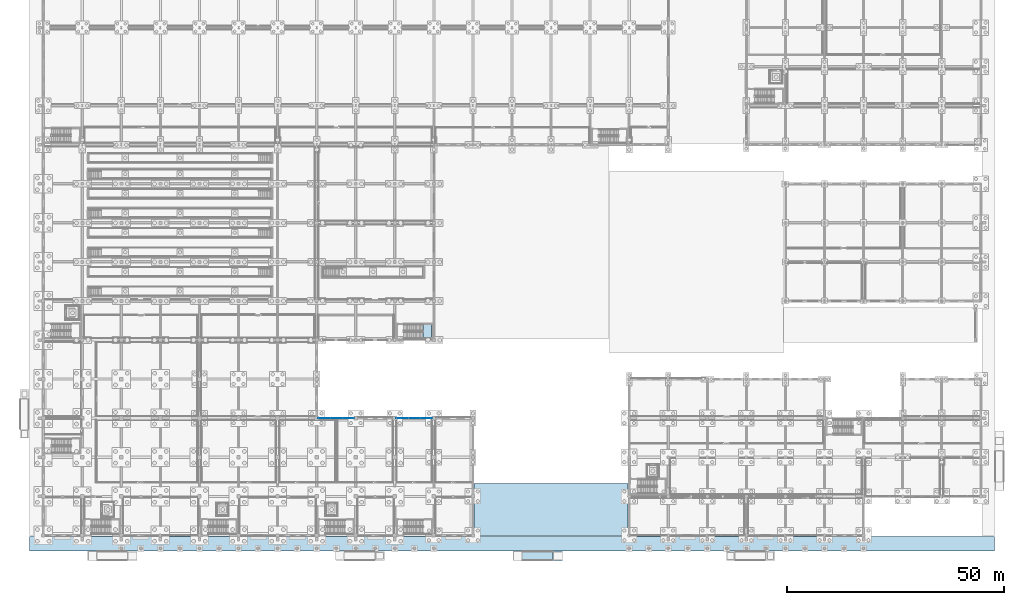
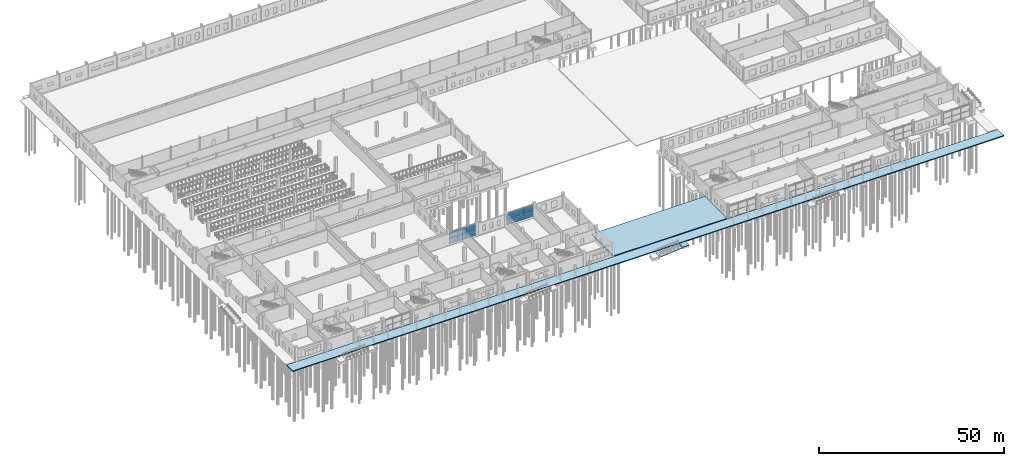
# One storey, part 58 of 112: 12 plates, 5 slabs, 3 elements without a shape of their own.
"""IFC4 building model written with IfcOpenShell, lengths in metres."""

from ifc_helpers import new_model, si_unit, direction, frame, origin, origin_2d, place, context, subcontext, project, spatial, polyline, rectangle, outline, extrude, material, layer, layer_set, type_object, element, aggregate, save


model = new_model("IFC4")

# Units and contexts
model_context = context("Model", 3, precision=1e-05, world=origin(), true_north=direction((0.0, 1.0)))
body_context = subcontext(model_context, "Body", "Model", "MODEL_VIEW")
ifc_project = project(units=[si_unit("LENGTHUNIT", "METRE"), si_unit("AREAUNIT", "SQUARE_METRE"), si_unit("VOLUMEUNIT", "CUBIC_METRE"), si_unit("PLANEANGLEUNIT", "RADIAN"), si_unit("MASSUNIT", "GRAM", prefix="KILO")], contexts=[model_context])

# Site, building, storey
site_placement = place(None, origin())
site = spatial("IfcSite", under=ifc_project, at=site_placement, CompositionType="ELEMENT")
building_placement = place(site_placement, origin())
building = spatial("IfcBuilding", under=site, at=building_placement, Name="Tharagai Park Tramway Depot", CompositionType="ELEMENT")
storey_placement = place(building_placement, origin())
storey = spatial("IfcBuildingStorey", under=building, at=storey_placement, Name="L00", CompositionType="ELEMENT", Elevation=0.0)

# Curtain wall, plates
ifc_material_1 = material(Name="Anodised aluminium", Category="aluminium")
curtain_wall_type = type_object("IfcCurtainWallType", Name="CW-05", PredefinedType="NOTDEFINED", material=ifc_material_1)
curtain_wall_1_placement = place(storey_placement, origin())
curtain_wall_1 = element("IfcCurtainWall", 1, at=curtain_wall_1_placement, inside=storey, type_object=curtain_wall_type, Name="L00 V4 Gothic Mullioned Curtain Wall CW-05", PredefinedType="NOTDEFINED")
ifc_material_2 = material(Name="Laminated solar-control glass", Category="glass")
ifc_layer_1 = layer(ifc_material_2, 0.028076171875)
ifc_layer_set_1 = layer_set([ifc_layer_1], Name="Laminated solar-control glass")
plate_type = type_object("IfcPlateType", Name="CP-02", PredefinedType="CURTAIN_PANEL", material=ifc_layer_set_1)
plate_1_placement = place(storey_placement, frame((64.743408203125, 27.0, 0.080078125), z_axis=(0.0, 0.0, 1.0), x_axis=(1.0, 0.0, 0.0)))
plate_1 = element("IfcPlate", 2, at=plate_1_placement, type_object=plate_type, Name="L00 V4 Gothic Mullioned Curtain Wall Glazed Panel 1.1", PredefinedType="CURTAIN_PANEL", context=body_context, shape_type="SweptSolid", body=[
    extrude(rectangle(XDim=2.736572265625, YDim=0.028076171875, at=origin_2d()), origin(), (0.0, 0.0, 1.0), 1.824951171875),
])
plate_2_placement = place(storey_placement, frame((64.743408203125, 27.0, 1.94482421875), z_axis=(0.0, 0.0, 1.0), x_axis=(1.0, 0.0, 0.0)))
plate_2 = element("IfcPlate", 3, at=plate_2_placement, type_object=plate_type, Name="L00 V4 Gothic Mullioned Curtain Wall Glazed Panel 1.2", PredefinedType="CURTAIN_PANEL", context=body_context, shape_type="SweptSolid", body=[
    extrude(rectangle(XDim=2.736572265625, YDim=0.028076171875, at=origin_2d()), origin(), (0.0, 0.0, 1.0), 1.804931640625),
])
plate_3_placement = place(storey_placement, frame((67.5, 27.0, 0.080078125), z_axis=(0.0, 0.0, 1.0), x_axis=(1.0, 0.0, 0.0)))
plate_3 = element("IfcPlate", 4, at=plate_3_placement, type_object=plate_type, Name="L00 V4 Gothic Mullioned Curtain Wall Glazed Panel 2.1", PredefinedType="CURTAIN_PANEL", context=body_context, shape_type="SweptSolid", body=[
    extrude(rectangle(XDim=2.736572265625, YDim=0.028076171875, at=origin_2d()), origin(), (0.0, 0.0, 1.0), 1.824951171875),
])
plate_4_placement = place(storey_placement, frame((67.5, 27.0, 1.94482421875), z_axis=(0.0, 0.0, 1.0), x_axis=(1.0, 0.0, 0.0)))
plate_4 = element("IfcPlate", 5, at=plate_4_placement, type_object=plate_type, Name="L00 V4 Gothic Mullioned Curtain Wall Glazed Panel 2.2", PredefinedType="CURTAIN_PANEL", context=body_context, shape_type="SweptSolid", body=[
    extrude(rectangle(XDim=2.736572265625, YDim=0.028076171875, at=origin_2d()), origin(), (0.0, 0.0, 1.0), 1.804931640625),
])
plate_5_placement = place(storey_placement, frame((70.256591796875, 27.0, 0.080078125), z_axis=(0.0, 0.0, 1.0), x_axis=(1.0, 0.0, 0.0)))
plate_5 = element("IfcPlate", 6, at=plate_5_placement, type_object=plate_type, Name="L00 V4 Gothic Mullioned Curtain Wall Glazed Panel 3.1", PredefinedType="CURTAIN_PANEL", context=body_context, shape_type="SweptSolid", body=[
    extrude(rectangle(XDim=2.736572265625, YDim=0.028076171875, at=origin_2d()), origin(), (0.0, 0.0, 1.0), 1.824951171875),
])
plate_6_placement = place(storey_placement, frame((70.256591796875, 27.0, 1.94482421875), z_axis=(0.0, 0.0, 1.0), x_axis=(1.0, 0.0, 0.0)))
plate_6 = element("IfcPlate", 7, at=plate_6_placement, type_object=plate_type, Name="L00 V4 Gothic Mullioned Curtain Wall Glazed Panel 3.2", PredefinedType="CURTAIN_PANEL", context=body_context, shape_type="SweptSolid", body=[
    extrude(rectangle(XDim=2.736572265625, YDim=0.028076171875, at=origin_2d()), origin(), (0.0, 0.0, 1.0), 1.804931640625),
])
aggregate(curtain_wall_1, [plate_1, plate_2, plate_3, plate_4, plate_5, plate_6])

curtain_wall_2_placement = place(storey_placement, origin())
curtain_wall_2 = element("IfcCurtainWall", 8, at=curtain_wall_2_placement, inside=storey, type_object=curtain_wall_type, Name="L00 V4 Gothic Mullioned Curtain Wall CW-05", PredefinedType="NOTDEFINED")
plate_7_placement = place(storey_placement, frame((82.743408203125, 27.0, 0.080078125), z_axis=(0.0, 0.0, 1.0), x_axis=(1.0, 0.0, 0.0)))
plate_7 = element("IfcPlate", 9, at=plate_7_placement, type_object=plate_type, Name="L00 V4 Gothic Mullioned Curtain Wall Glazed Panel 1.1", PredefinedType="CURTAIN_PANEL", context=body_context, shape_type="SweptSolid", body=[
    extrude(rectangle(XDim=2.736572265625, YDim=0.028076171875, at=origin_2d()), origin(), (0.0, 0.0, 1.0), 1.824951171875),
])
plate_8_placement = place(storey_placement, frame((82.743408203125, 27.0, 1.94482421875), z_axis=(0.0, 0.0, 1.0), x_axis=(1.0, 0.0, 0.0)))
plate_8 = element("IfcPlate", 10, at=plate_8_placement, type_object=plate_type, Name="L00 V4 Gothic Mullioned Curtain Wall Glazed Panel 1.2", PredefinedType="CURTAIN_PANEL", context=body_context, shape_type="SweptSolid", body=[
    extrude(rectangle(XDim=2.736572265625, YDim=0.028076171875, at=origin_2d()), origin(), (0.0, 0.0, 1.0), 1.804931640625),
])
plate_9_placement = place(storey_placement, frame((85.5, 27.0, 0.080078125), z_axis=(0.0, 0.0, 1.0), x_axis=(1.0, 0.0, 0.0)))
plate_9 = element("IfcPlate", 11, at=plate_9_placement, type_object=plate_type, Name="L00 V4 Gothic Mullioned Curtain Wall Glazed Panel 2.1", PredefinedType="CURTAIN_PANEL", context=body_context, shape_type="SweptSolid", body=[
    extrude(rectangle(XDim=2.736572265625, YDim=0.028076171875, at=origin_2d()), origin(), (0.0, 0.0, 1.0), 1.824951171875),
])
plate_10_placement = place(storey_placement, frame((85.5, 27.0, 1.94482421875), z_axis=(0.0, 0.0, 1.0), x_axis=(1.0, 0.0, 0.0)))
plate_10 = element("IfcPlate", 12, at=plate_10_placement, type_object=plate_type, Name="L00 V4 Gothic Mullioned Curtain Wall Glazed Panel 2.2", PredefinedType="CURTAIN_PANEL", context=body_context, shape_type="SweptSolid", body=[
    extrude(rectangle(XDim=2.736572265625, YDim=0.028076171875, at=origin_2d()), origin(), (0.0, 0.0, 1.0), 1.804931640625),
])
plate_11_placement = place(storey_placement, frame((88.256591796875, 27.0, 0.080078125), z_axis=(0.0, 0.0, 1.0), x_axis=(1.0, 0.0, 0.0)))
plate_11 = element("IfcPlate", 13, at=plate_11_placement, type_object=plate_type, Name="L00 V4 Gothic Mullioned Curtain Wall Glazed Panel 3.1", PredefinedType="CURTAIN_PANEL", context=body_context, shape_type="SweptSolid", body=[
    extrude(rectangle(XDim=2.736572265625, YDim=0.028076171875, at=origin_2d()), origin(), (0.0, 0.0, 1.0), 1.824951171875),
])
plate_12_placement = place(storey_placement, frame((88.256591796875, 27.0, 1.94482421875), z_axis=(0.0, 0.0, 1.0), x_axis=(1.0, 0.0, 0.0)))
plate_12 = element("IfcPlate", 14, at=plate_12_placement, type_object=plate_type, Name="L00 V4 Gothic Mullioned Curtain Wall Glazed Panel 3.2", PredefinedType="CURTAIN_PANEL", context=body_context, shape_type="SweptSolid", body=[
    extrude(rectangle(XDim=2.736572265625, YDim=0.028076171875, at=origin_2d()), origin(), (0.0, 0.0, 1.0), 1.804931640625),
])
aggregate(curtain_wall_2, [plate_7, plate_8, plate_9, plate_10, plate_11, plate_12])

# Stair, slab
ifc_material_3 = material(Name="Concrete M35", Category="concrete")
stair_type = type_object("IfcStairType", Name="STT-02", PredefinedType="HALF_TURN_STAIR", material=ifc_material_3)
stair_placement = place(storey_placement, origin())
stair = element("IfcStair", 15, at=stair_placement, inside=storey, type_object=stair_type, Name="L00 Protected Exit Stair ST-09", PredefinedType="HALF_TURN_STAIR")
ifc_layer_2 = layer(ifc_material_3, 0.199951171875)
ifc_layer_set_2 = layer_set([ifc_layer_2], Name="Concrete M35")
slab_type_1 = type_object("IfcSlabType", Name="LN-01", PredefinedType="LANDING", material=ifc_layer_set_2)
slab_1_placement = place(storey_placement, frame((0.0, 0.0, 2.199951171875)))
slab_1 = element("IfcSlab", 16, at=slab_1_placement, type_object=slab_type_1, Name="ST-09 landing 1", PredefinedType="LANDING", context=body_context, shape_type="SweptSolid", body=[
    extrude(outline(polyline([(87.5400390625, 45.39990234375), (89.47998046875, 45.39990234375), (89.47998046875, 48.590087890625), (87.5400390625, 48.590087890625), (87.5400390625, 45.39990234375)])), origin(), (0.0, 0.0, 1.0), 0.199951171875),
])
aggregate(stair, [slab_1])

# Slabs
ifc_layer_3 = layer(ifc_material_3, 0.31005859375)
ifc_layer_set_3 = layer_set([ifc_layer_3], Name="Concrete M35")
slab_type_2 = type_object("IfcSlabType", Name="SB-04", PredefinedType="BASESLAB", material=ifc_layer_set_3)
slab_2_placement = place(storey_placement, frame((0.0, 0.0, -0.31005859375)))
element("IfcSlab", 17, at=slab_2_placement, inside=storey, type_object=slab_type_2, Name="South Park-Edge Charnockite Cloister Promenade", PredefinedType="BASESLAB", context=body_context, shape_type="SweptSolid", body=[
    extrude(outline(polyline([(-3.199951171875, -3.6201171875), (219.199951171875, -3.6201171875), (219.199951171875, -0.239990234375), (-3.199951171875, -0.239990234375), (-3.199951171875, -3.6201171875)])), origin(), (0.0, 0.0, 1.0), 0.31005859375),
])
slab_3_placement = place(storey_placement, frame((0.0, 0.0, -0.31005859375)))
element("IfcSlab", 18, at=slab_3_placement, inside=storey, type_object=slab_type_2, Name="Park-Court Cloister Threshold Apron", PredefinedType="BASESLAB", context=body_context, shape_type="SweptSolid", body=[
    extrude(outline(polyline([(99.239990234375, 0.0), (134.760009765625, 0.0), (134.760009765625, 12.0), (99.239990234375, 12.0), (99.239990234375, 0.0)])), origin(), (0.0, 0.0, 1.0), 0.31005859375),
])
ifc_layer_4 = layer(ifc_material_3, 0.159912109375)
ifc_layer_set_4 = layer_set([ifc_layer_4], Name="Concrete M35")
slab_type_3 = type_object("IfcSlabType", Name="SB-07", PredefinedType="LANDING", material=ifc_layer_set_4)
slab_4_placement = place(storey_placement, frame((110.340087890625, -5.75, -0.81494140625), z_axis=(-0.083953161792, 0.0, 0.99646970181), x_axis=(0.0, 1.0, 0.0)))
element("IfcSlab", 19, at=slab_4_placement, inside=storey, type_object=slab_type_3, Name="Ramp RMP-05 Sloped Structural Sub-Slab", PredefinedType="LANDING", context=body_context, shape_type="SweptSolid", body=[
    extrude(outline(polyline([(0.0, 0.0), (2.10009765625, 0.0), (2.10009765625, -7.145097371192696), (0.0, -7.145097371192696), (0.0, 0.0)])), origin(), (0.0, 0.0, -1.0), 0.159912109375),
])
ifc_layer_5 = layer(ifc_material_3, 0.205078125)
ifc_layer_set_5 = layer_set([ifc_layer_5], Name="Concrete M35")
slab_type_4 = type_object("IfcSlabType", Name="SB-08", PredefinedType="LANDING", material=ifc_layer_set_5)
slab_5_placement = place(storey_placement, frame((0.0, 0.0, -0.205078125)))
element("IfcSlab", 20, at=slab_5_placement, inside=storey, type_object=slab_type_4, Name="Ramp RMP-05 Top Landing", PredefinedType="LANDING", context=body_context, shape_type="SweptSolid", body=[
    extrude(outline(polyline([(117.52001953125, -5.75), (119.60009765625, -5.75), (119.60009765625, -3.64990234375), (117.52001953125, -3.64990234375), (117.52001953125, -5.75)])), origin(), (0.0, 0.0, 1.0), 0.205078125),
])

save(model, "model.ifc")
